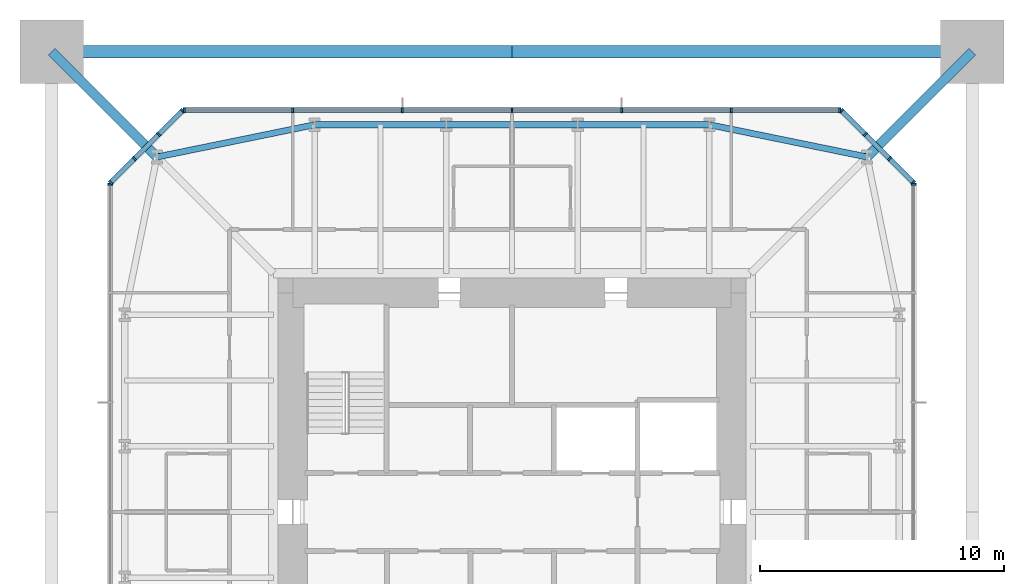
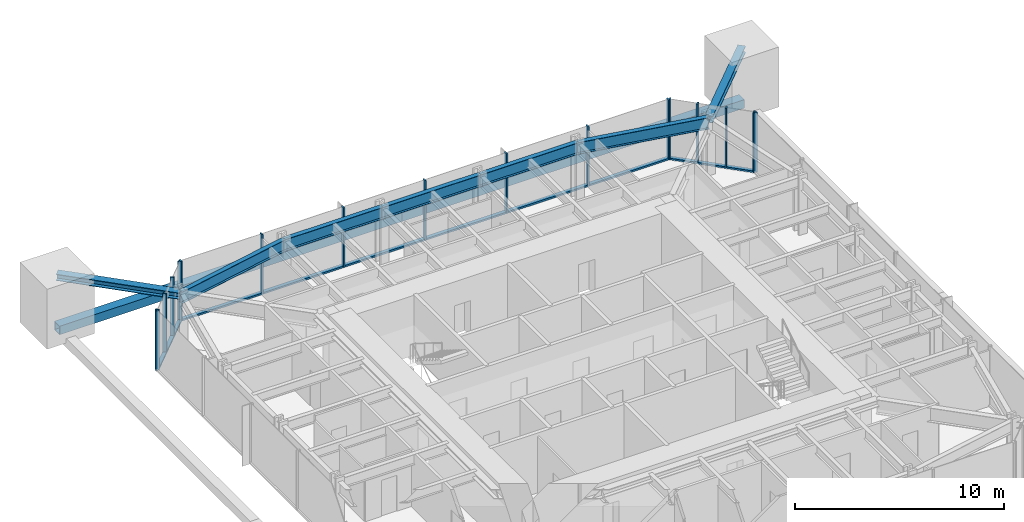
# One storey, part 5 of 10: 33 members, 5 beams, 5 elements without a shape of their own.
"""IFC4 building model written with IfcOpenShell, lengths in metres."""

from ifc_helpers import new_model, si_unit, direction, frame, origin, origin_2d, place, context, subcontext, project, spatial, rectangle, hollow_rectangle, i_section, extrude, material, material_profile, profile_set, type_object, element, aggregate, save


model = new_model("IFC4")

# Units and contexts
model_context = context("Model", 3, precision=1e-05, world=origin(), true_north=direction((0.0, 1.0)))
body_context = subcontext(model_context, "Body", "Model", "MODEL_VIEW")
ifc_project = project(units=[si_unit("LENGTHUNIT", "METRE"), si_unit("AREAUNIT", "SQUARE_METRE"), si_unit("VOLUMEUNIT", "CUBIC_METRE"), si_unit("PLANEANGLEUNIT", "RADIAN"), si_unit("MASSUNIT", "GRAM", prefix="KILO")], contexts=[model_context])

# Site, building, storey
site_placement = place(None, origin())
site = spatial("IfcSite", under=ifc_project, at=site_placement, CompositionType="ELEMENT")
building_placement = place(site_placement, origin())
building = spatial("IfcBuilding", under=site, at=building_placement, Name="Iwan Alto Co-Living Towers", CompositionType="ELEMENT")
storey_placement = place(building_placement, frame((0.0, 0.0, 253.5)))
storey = spatial("IfcBuildingStorey", under=building, at=storey_placement, Name="L69", CompositionType="ELEMENT", Elevation=253.5)

# Curtain wall, member
ifc_material_1 = material(Name="Bronze aluminium unitised frame", Category="aluminium")
curtain_wall_type_1 = type_object("IfcCurtainWallType", Name="CURTAIN WALL CW-A", PredefinedType="NOTDEFINED", material=ifc_material_1)
curtain_wall_1_placement = place(storey_placement, origin())
curtain_wall_1 = element("IfcCurtainWall", 1, at=curtain_wall_1_placement, inside=storey, type_object=curtain_wall_type_1, Name="T1 curtain wall E L69", PredefinedType="NOTDEFINED")
ifc_material_2 = material(Name="Aluminium 6063-T6 bronze anodised", Category="aluminium")
ifc_material_profile_1 = material_profile(ifc_material_2, rectangle(XDim=0.199951171875, YDim=0.080078125, at=origin_2d()), Name="AL 80X200")
ifc_profile_set_1 = profile_set([ifc_material_profile_1], Name="Aluminium 6063-T6 bronze anodised")
member_type_1 = type_object("IfcMemberType", Name="CW-A MULLION 80X200", PredefinedType="MULLION", material=ifc_profile_set_1)
member_1_placement = place(storey_placement, frame((16.5, 13.4599609375, 0.0), z_axis=(0.0, 0.0, 1.0), x_axis=(-1.0, 0.0, 0.0)))
member_1 = element("IfcMember", 2, at=member_1_placement, type_object=member_type_1, Name="CW-A mullion 7", PredefinedType="MULLION", context=body_context, shape_type="SweptSolid", body=[
    extrude(rectangle(XDim=0.199951171875, YDim=0.080078125, at=origin_2d()), origin(), (0.0, 0.0, 1.0), 3.5),
])
aggregate(curtain_wall_1, [member_1])

# Curtain wall, members
curtain_wall_2_placement = place(storey_placement, origin())
curtain_wall_2 = element("IfcCurtainWall", 3, at=curtain_wall_2_placement, inside=storey, type_object=curtain_wall_type_1, Name="T1 curtain wall N L69", PredefinedType="NOTDEFINED")
member_2_placement = place(storey_placement, frame((13.4599609375, 16.5, 0.0), z_axis=(0.0, 0.0, 1.0), x_axis=(0.0, -1.0, 0.0)))
member_2 = element("IfcMember", 4, at=member_2_placement, type_object=member_type_1, Name="CW-A mullion 1", PredefinedType="MULLION", context=body_context, shape_type="SweptSolid", body=[
    extrude(rectangle(XDim=0.199951171875, YDim=0.080078125, at=origin_2d()), origin(), (0.0, 0.0, 1.0), 3.5),
])
member_3_placement = place(storey_placement, frame((9.0, 16.5, 0.0), z_axis=(0.0, 0.0, 1.0), x_axis=(0.0, -1.0, 0.0)))
member_3 = element("IfcMember", 5, at=member_3_placement, type_object=member_type_1, Name="CW-A mullion 2", PredefinedType="MULLION", context=body_context, shape_type="SweptSolid", body=[
    extrude(rectangle(XDim=0.199951171875, YDim=0.080078125, at=origin_2d()), origin(), (0.0, 0.0, 1.0), 3.5),
])
member_4_placement = place(storey_placement, frame((4.5, 16.5, 0.0), z_axis=(0.0, 0.0, 1.0), x_axis=(0.0, -1.0, 0.0)))
member_4 = element("IfcMember", 6, at=member_4_placement, type_object=member_type_1, Name="CW-A mullion 3", PredefinedType="MULLION", context=body_context, shape_type="SweptSolid", body=[
    extrude(rectangle(XDim=0.199951171875, YDim=0.080078125, at=origin_2d()), origin(), (0.0, 0.0, 1.0), 3.5),
])
member_5_placement = place(storey_placement, frame((0.0, 16.5, 0.0), z_axis=(0.0, 0.0, 1.0), x_axis=(0.0, -1.0, 0.0)))
member_5 = element("IfcMember", 7, at=member_5_placement, type_object=member_type_1, Name="CW-A mullion 4", PredefinedType="MULLION", context=body_context, shape_type="SweptSolid", body=[
    extrude(rectangle(XDim=0.199951171875, YDim=0.080078125, at=origin_2d()), origin(), (0.0, 0.0, 1.0), 3.5),
])
member_6_placement = place(storey_placement, frame((-4.5, 16.5, 0.0), z_axis=(0.0, 0.0, 1.0), x_axis=(0.0, -1.0, 0.0)))
member_6 = element("IfcMember", 8, at=member_6_placement, type_object=member_type_1, Name="CW-A mullion 5", PredefinedType="MULLION", context=body_context, shape_type="SweptSolid", body=[
    extrude(rectangle(XDim=0.199951171875, YDim=0.080078125, at=origin_2d()), origin(), (0.0, 0.0, 1.0), 3.5),
])
member_7_placement = place(storey_placement, frame((-9.0, 16.5, 0.0), z_axis=(0.0, 0.0, 1.0), x_axis=(0.0, -1.0, 0.0)))
member_7 = element("IfcMember", 9, at=member_7_placement, type_object=member_type_1, Name="CW-A mullion 6", PredefinedType="MULLION", context=body_context, shape_type="SweptSolid", body=[
    extrude(rectangle(XDim=0.199951171875, YDim=0.080078125, at=origin_2d()), origin(), (0.0, 0.0, 1.0), 3.5),
])
member_8_placement = place(storey_placement, frame((-13.4599609375, 16.5, 0.0), z_axis=(0.0, 0.0, 1.0), x_axis=(0.0, -1.0, 0.0)))
member_8 = element("IfcMember", 10, at=member_8_placement, type_object=member_type_1, Name="CW-A mullion 7", PredefinedType="MULLION", context=body_context, shape_type="SweptSolid", body=[
    extrude(rectangle(XDim=0.199951171875, YDim=0.080078125, at=origin_2d()), origin(), (0.0, 0.0, 1.0), 3.5),
])

# Curtain wall, member
curtain_wall_3_placement = place(storey_placement, origin())
curtain_wall_3 = element("IfcCurtainWall", 11, at=curtain_wall_3_placement, inside=storey, type_object=curtain_wall_type_1, Name="T1 curtain wall W L69", PredefinedType="NOTDEFINED")
member_9_placement = place(storey_placement, frame((-16.5, 13.4599609375, 0.0), z_axis=(0.0, 0.0, 1.0), x_axis=(1.0, 0.0, 0.0)))
member_9 = element("IfcMember", 12, at=member_9_placement, type_object=member_type_1, Name="CW-A mullion 1", PredefinedType="MULLION", context=body_context, shape_type="SweptSolid", body=[
    extrude(rectangle(XDim=0.199951171875, YDim=0.080078125, at=origin_2d()), origin(), (0.0, 0.0, 1.0), 3.5),
])
aggregate(curtain_wall_3, [member_9])

# Member
ifc_material_3 = material(Name="Aluminium 6063-T6 bronze anodised", Category="aluminium")
ifc_material_profile_2 = material_profile(ifc_material_3, rectangle(XDim=0.199951171875, YDim=0.10009765625, at=origin_2d()), Name="AL 200X100")
ifc_profile_set_2 = profile_set([ifc_material_profile_2], Name="Aluminium 6063-T6 bronze anodised")
member_type_2 = type_object("IfcMemberType", Name="CW-A TRANSOM 200X100", PredefinedType="USERDEFINED", material=ifc_profile_set_2)
member_10_placement = place(storey_placement, frame((13.419921875, 16.5, 0.050048828125), z_axis=(-1.0, 0.0, 0.0), x_axis=(0.0, -1.0, 0.0)))
member_10 = element("IfcMember", 13, at=member_10_placement, type_object=member_type_2, Name="CW-A transom 1.1", ObjectType="TRANSOM", PredefinedType="USERDEFINED", context=body_context, shape_type="SweptSolid", body=[
    extrude(rectangle(XDim=0.199951171875, YDim=0.10009765625, at=origin_2d()), origin(), (0.0, 0.0, 1.0), 4.3798828125),
])

member_11_placement = place(storey_placement, frame((8.9599609375, 16.5, 0.050048828125), z_axis=(-1.0, 0.0, 0.0), x_axis=(0.0, -1.0, 0.0)))
member_11 = element("IfcMember", 14, at=member_11_placement, type_object=member_type_2, Name="CW-A transom 2.1", ObjectType="TRANSOM", PredefinedType="USERDEFINED", context=body_context, shape_type="SweptSolid", body=[
    extrude(rectangle(XDim=0.199951171875, YDim=0.10009765625, at=origin_2d()), origin(), (0.0, 0.0, 1.0), 4.419921875),
])

member_12_placement = place(storey_placement, frame((4.4599609375, 16.5, 0.050048828125), z_axis=(-1.0, 0.0, 0.0), x_axis=(0.0, -1.0, 0.0)))
member_12 = element("IfcMember", 15, at=member_12_placement, type_object=member_type_2, Name="CW-A transom 3.1", ObjectType="TRANSOM", PredefinedType="USERDEFINED", context=body_context, shape_type="SweptSolid", body=[
    extrude(rectangle(XDim=0.199951171875, YDim=0.10009765625, at=origin_2d()), origin(), (0.0, 0.0, 1.0), 4.419921875),
])

member_13_placement = place(storey_placement, frame((-0.0400390625, 16.5, 0.050048828125), z_axis=(-1.0, 0.0, 0.0), x_axis=(0.0, -1.0, 0.0)))
member_13 = element("IfcMember", 16, at=member_13_placement, type_object=member_type_2, Name="CW-A transom 4.1", ObjectType="TRANSOM", PredefinedType="USERDEFINED", context=body_context, shape_type="SweptSolid", body=[
    extrude(rectangle(XDim=0.199951171875, YDim=0.10009765625, at=origin_2d()), origin(), (0.0, 0.0, 1.0), 4.419921875),
])

member_14_placement = place(storey_placement, frame((-4.5400390625, 16.5, 0.050048828125), z_axis=(-1.0, 0.0, 0.0), x_axis=(0.0, -1.0, 0.0)))
member_14 = element("IfcMember", 17, at=member_14_placement, type_object=member_type_2, Name="CW-A transom 5.1", ObjectType="TRANSOM", PredefinedType="USERDEFINED", context=body_context, shape_type="SweptSolid", body=[
    extrude(rectangle(XDim=0.199951171875, YDim=0.10009765625, at=origin_2d()), origin(), (0.0, 0.0, 1.0), 4.419921875),
])

member_15_placement = place(storey_placement, frame((-9.0400390625, 16.5, 0.050048828125), z_axis=(-1.0, 0.0, 0.0), x_axis=(0.0, -1.0, 0.0)))
member_15 = element("IfcMember", 18, at=member_15_placement, type_object=member_type_2, Name="CW-A transom 6.1", ObjectType="TRANSOM", PredefinedType="USERDEFINED", context=body_context, shape_type="SweptSolid", body=[
    extrude(rectangle(XDim=0.199951171875, YDim=0.10009765625, at=origin_2d()), origin(), (0.0, 0.0, 1.0), 4.3798828125),
])

aggregate(curtain_wall_2, [member_2, member_3, member_4, member_5, member_6, member_7, member_8, member_10, member_11, member_12, member_13, member_14, member_15])

# Curtain wall, members
ifc_material_4 = material(Name="Bronze aluminium unitised frame", Category="aluminium")
curtain_wall_type_2 = type_object("IfcCurtainWallType", Name="CURTAIN WALL CW-B", PredefinedType="NOTDEFINED", material=ifc_material_4)
curtain_wall_4_placement = place(storey_placement, origin())
curtain_wall_4 = element("IfcCurtainWall", 19, at=curtain_wall_4_placement, inside=storey, type_object=curtain_wall_type_2, Name="T1 chamfer curtain wall NE L69", PredefinedType="NOTDEFINED")
ifc_material_5 = material(Name="Aluminium 6063-T6 bronze anodised", Category="aluminium")
ifc_material_profile_3 = material_profile(ifc_material_5, rectangle(XDim=0.199951171875, YDim=0.080078125, at=origin_2d()), Name="AL 80X200")
ifc_profile_set_3 = profile_set([ifc_material_profile_3], Name="Aluminium 6063-T6 bronze anodised")
member_type_3 = type_object("IfcMemberType", Name="CW-B MULLION 80X200", PredefinedType="MULLION", material=ifc_profile_set_3)
member_16_placement = place(storey_placement, frame((16.4716796875, 13.5283203125, 0.0), z_axis=(0.0, 0.0, 1.0), x_axis=(-0.707106781187, -0.707106781187, 0.0)))
member_16 = element("IfcMember", 20, at=member_16_placement, type_object=member_type_3, Name="CW-B mullion 1", PredefinedType="MULLION", context=body_context, shape_type="SweptSolid", body=[
    extrude(rectangle(XDim=0.199951171875, YDim=0.080078125, at=origin_2d()), origin(), (0.0, 0.0, 1.0), 3.5),
])
member_17_placement = place(storey_placement, frame((15.5, 14.5, 0.0), z_axis=(0.0, 0.0, 1.0), x_axis=(-0.707106781187, -0.707106781187, 0.0)))
member_17 = element("IfcMember", 21, at=member_17_placement, type_object=member_type_3, Name="CW-B mullion 2", PredefinedType="MULLION", context=body_context, shape_type="SweptSolid", body=[
    extrude(rectangle(XDim=0.199951171875, YDim=0.080078125, at=origin_2d()), origin(), (0.0, 0.0, 1.0), 3.5),
])
member_18_placement = place(storey_placement, frame((14.5, 15.5, 0.0), z_axis=(0.0, 0.0, 1.0), x_axis=(-0.707106781187, -0.707106781187, 0.0)))
member_18 = element("IfcMember", 22, at=member_18_placement, type_object=member_type_3, Name="CW-B mullion 3", PredefinedType="MULLION", context=body_context, shape_type="SweptSolid", body=[
    extrude(rectangle(XDim=0.199951171875, YDim=0.080078125, at=origin_2d()), origin(), (0.0, 0.0, 1.0), 3.5),
])
member_19_placement = place(storey_placement, frame((13.5283203125, 16.4716796875, 0.0), z_axis=(0.0, 0.0, 1.0), x_axis=(-0.707106781187, -0.707106781187, 0.0)))
member_19 = element("IfcMember", 23, at=member_19_placement, type_object=member_type_3, Name="CW-B mullion 4", PredefinedType="MULLION", context=body_context, shape_type="SweptSolid", body=[
    extrude(rectangle(XDim=0.199951171875, YDim=0.080078125, at=origin_2d()), origin(), (0.0, 0.0, 1.0), 3.5),
])

curtain_wall_5_placement = place(storey_placement, origin())
curtain_wall_5 = element("IfcCurtainWall", 24, at=curtain_wall_5_placement, inside=storey, type_object=curtain_wall_type_2, Name="T1 chamfer curtain wall NW L69", PredefinedType="NOTDEFINED")
member_20_placement = place(storey_placement, frame((-13.5283203125, 16.4716796875, 0.0), z_axis=(0.0, 0.0, 1.0), x_axis=(0.707106781187, -0.707106781187, 0.0)))
member_20 = element("IfcMember", 25, at=member_20_placement, type_object=member_type_3, Name="CW-B mullion 1", PredefinedType="MULLION", context=body_context, shape_type="SweptSolid", body=[
    extrude(rectangle(XDim=0.199951171875, YDim=0.080078125, at=origin_2d()), origin(), (0.0, 0.0, 1.0), 3.5),
])
member_21_placement = place(storey_placement, frame((-14.5, 15.5, 0.0), z_axis=(0.0, 0.0, 1.0), x_axis=(0.707106781187, -0.707106781187, 0.0)))
member_21 = element("IfcMember", 26, at=member_21_placement, type_object=member_type_3, Name="CW-B mullion 2", PredefinedType="MULLION", context=body_context, shape_type="SweptSolid", body=[
    extrude(rectangle(XDim=0.199951171875, YDim=0.080078125, at=origin_2d()), origin(), (0.0, 0.0, 1.0), 3.5),
])
member_22_placement = place(storey_placement, frame((-15.5, 14.5, 0.0), z_axis=(0.0, 0.0, 1.0), x_axis=(0.707106781187, -0.707106781187, 0.0)))
member_22 = element("IfcMember", 27, at=member_22_placement, type_object=member_type_3, Name="CW-B mullion 3", PredefinedType="MULLION", context=body_context, shape_type="SweptSolid", body=[
    extrude(rectangle(XDim=0.199951171875, YDim=0.080078125, at=origin_2d()), origin(), (0.0, 0.0, 1.0), 3.5),
])
member_23_placement = place(storey_placement, frame((-16.4716796875, 13.5283203125, 0.0), z_axis=(0.0, 0.0, 1.0), x_axis=(0.707106781187, -0.707106781187, 0.0)))
member_23 = element("IfcMember", 28, at=member_23_placement, type_object=member_type_3, Name="CW-B mullion 4", PredefinedType="MULLION", context=body_context, shape_type="SweptSolid", body=[
    extrude(rectangle(XDim=0.199951171875, YDim=0.080078125, at=origin_2d()), origin(), (0.0, 0.0, 1.0), 3.5),
])

# Member
ifc_material_6 = material(Name="Aluminium 6063-T6 bronze anodised", Category="aluminium")
ifc_material_profile_4 = material_profile(ifc_material_6, rectangle(XDim=0.199951171875, YDim=0.10009765625, at=origin_2d()), Name="AL 200X100")
ifc_profile_set_4 = profile_set([ifc_material_profile_4], Name="Aluminium 6063-T6 bronze anodised")
member_type_4 = type_object("IfcMemberType", Name="CW-B TRANSOM 200X100", PredefinedType="USERDEFINED", material=ifc_profile_set_4)
member_24_placement = place(storey_placement, frame((16.443359375, 13.556640625, 0.050048828125), z_axis=(-0.707106781187, 0.707106781187, 0.0), x_axis=(-0.707106781187, -0.707106781187, 0.0)))
member_24 = element("IfcMember", 29, at=member_24_placement, type_object=member_type_4, Name="CW-B transom 1.1", ObjectType="TRANSOM", PredefinedType="USERDEFINED", context=body_context, shape_type="SweptSolid", body=[
    extrude(rectangle(XDim=0.199951171875, YDim=0.10009765625, at=origin_2d()), origin(), (0.0, 0.0, 1.0), 1.2939453125),
])

member_25_placement = place(storey_placement, frame((15.4716796875, 14.5283203125, 0.050048828125), z_axis=(-0.707106781187, 0.707106781187, 0.0), x_axis=(-0.707106781187, -0.707106781187, 0.0)))
member_25 = element("IfcMember", 30, at=member_25_placement, type_object=member_type_4, Name="CW-B transom 2.1", ObjectType="TRANSOM", PredefinedType="USERDEFINED", context=body_context, shape_type="SweptSolid", body=[
    extrude(rectangle(XDim=0.199951171875, YDim=0.10009765625, at=origin_2d()), origin(), (0.0, 0.0, 1.0), 1.334228515625),
])

member_26_placement = place(storey_placement, frame((14.4716796875, 15.5283203125, 0.050048828125), z_axis=(-0.707106781187, 0.707106781187, 0.0), x_axis=(-0.707106781187, -0.707106781187, 0.0)))
member_26 = element("IfcMember", 31, at=member_26_placement, type_object=member_type_4, Name="CW-B transom 3.1", ObjectType="TRANSOM", PredefinedType="USERDEFINED", context=body_context, shape_type="SweptSolid", body=[
    extrude(rectangle(XDim=0.199951171875, YDim=0.10009765625, at=origin_2d()), origin(), (0.0, 0.0, 1.0), 1.2939453125),
])

aggregate(curtain_wall_4, [member_16, member_17, member_18, member_19, member_24, member_25, member_26])

member_27_placement = place(storey_placement, frame((-13.556640625, 16.443359375, 0.050048828125), z_axis=(-0.707106781187, -0.707106781187, 0.0), x_axis=(0.707106781187, -0.707106781187, 0.0)))
member_27 = element("IfcMember", 32, at=member_27_placement, type_object=member_type_4, Name="CW-B transom 1.1", ObjectType="TRANSOM", PredefinedType="USERDEFINED", context=body_context, shape_type="SweptSolid", body=[
    extrude(rectangle(XDim=0.199951171875, YDim=0.10009765625, at=origin_2d()), origin(), (0.0, 0.0, 1.0), 1.2939453125),
])

member_28_placement = place(storey_placement, frame((-14.5283203125, 15.4716796875, 0.050048828125), z_axis=(-0.707106781187, -0.707106781187, 0.0), x_axis=(0.707106781187, -0.707106781187, 0.0)))
member_28 = element("IfcMember", 33, at=member_28_placement, type_object=member_type_4, Name="CW-B transom 2.1", ObjectType="TRANSOM", PredefinedType="USERDEFINED", context=body_context, shape_type="SweptSolid", body=[
    extrude(rectangle(XDim=0.199951171875, YDim=0.10009765625, at=origin_2d()), origin(), (0.0, 0.0, 1.0), 1.334228515625),
])

member_29_placement = place(storey_placement, frame((-15.5283203125, 14.4716796875, 0.050048828125), z_axis=(-0.707106781187, -0.707106781187, 0.0), x_axis=(0.707106781187, -0.707106781187, 0.0)))
member_29 = element("IfcMember", 34, at=member_29_placement, type_object=member_type_4, Name="CW-B transom 3.1", ObjectType="TRANSOM", PredefinedType="USERDEFINED", context=body_context, shape_type="SweptSolid", body=[
    extrude(rectangle(XDim=0.199951171875, YDim=0.10009765625, at=origin_2d()), origin(), (0.0, 0.0, 1.0), 1.2939453125),
])

aggregate(curtain_wall_5, [member_20, member_21, member_22, member_23, member_27, member_28, member_29])

# Beams
ifc_material_7 = material(Name="Steel ASTM A992 Gr 50", Category="steel")
ifc_material_profile_5 = material_profile(ifc_material_7, i_section(OverallWidth=0.25390625, OverallDepth=0.683349609375, WebThickness=0.012451171875, FlangeThickness=0.018798828125, at=origin_2d()), Name="W27X94")
ifc_profile_set_5 = profile_set([ifc_material_profile_5], Name="Steel ASTM A992 Gr 50")
beam_type = type_object("IfcBeamType", Name="T1 EDGE BEAM W27X94", PredefinedType="BEAM", material=ifc_profile_set_5)
beam_1_placement = place(storey_placement, frame((14.57568359375, 14.57568359375, 2.928466796875), z_axis=(-0.979724820103, 0.200347889618, 0.0), x_axis=(-0.200347889618, -0.979724820103, 0.0)))
element("IfcBeam", 35, at=beam_1_placement, inside=storey, type_object=beam_type, Name="T1 edge beam CNE L70", PredefinedType="BEAM", context=body_context, shape_type="SweptSolid", body=[
    extrude(i_section(OverallWidth=0.25390625, OverallDepth=0.683349609375, WebThickness=0.012451171875, FlangeThickness=0.018798828125, at=origin_2d()), origin(), (0.0, 0.0, 1.0), 6.609619140625),
])
beam_2_placement = place(storey_placement, frame((8.10009765625, 15.89990234375, 2.928466796875), z_axis=(-1.0, 0.0, 0.0), x_axis=(0.0, -1.0, 0.0)))
element("IfcBeam", 36, at=beam_2_placement, inside=storey, type_object=beam_type, Name="T1 edge beam N1 L70", PredefinedType="BEAM", context=body_context, shape_type="SweptSolid", body=[
    extrude(i_section(OverallWidth=0.25390625, OverallDepth=0.683349609375, WebThickness=0.012451171875, FlangeThickness=0.018798828125, at=origin_2d()), origin(), (0.0, 0.0, 1.0), 5.400146484375),
])
beam_3_placement = place(storey_placement, frame((2.699951171875, 15.89990234375, 2.928466796875), z_axis=(-1.0, 0.0, 0.0), x_axis=(0.0, -1.0, 0.0)))
element("IfcBeam", 37, at=beam_3_placement, inside=storey, type_object=beam_type, Name="T1 edge beam N2 L70", PredefinedType="BEAM", context=body_context, shape_type="SweptSolid", body=[
    extrude(i_section(OverallWidth=0.25390625, OverallDepth=0.683349609375, WebThickness=0.012451171875, FlangeThickness=0.018798828125, at=origin_2d()), origin(), (0.0, 0.0, 1.0), 5.39990234375),
])
beam_4_placement = place(storey_placement, frame((-2.699951171875, 15.89990234375, 2.928466796875), z_axis=(-1.0, 0.0, 0.0), x_axis=(0.0, -1.0, 0.0)))
element("IfcBeam", 38, at=beam_4_placement, inside=storey, type_object=beam_type, Name="T1 edge beam N3 L70", PredefinedType="BEAM", context=body_context, shape_type="SweptSolid", body=[
    extrude(i_section(OverallWidth=0.25390625, OverallDepth=0.683349609375, WebThickness=0.012451171875, FlangeThickness=0.018798828125, at=origin_2d()), origin(), (0.0, 0.0, 1.0), 5.400146484375),
])
beam_5_placement = place(storey_placement, frame((-8.10009765625, 15.89990234375, 2.928466796875), z_axis=(-0.979724820103, -0.200347889618, 0.0), x_axis=(0.200347889618, -0.979724820103, 0.0)))
element("IfcBeam", 39, at=beam_5_placement, inside=storey, type_object=beam_type, Name="T1 edge beam N4 L70", PredefinedType="BEAM", context=body_context, shape_type="SweptSolid", body=[
    extrude(i_section(OverallWidth=0.25390625, OverallDepth=0.683349609375, WebThickness=0.012451171875, FlangeThickness=0.018798828125, at=origin_2d()), origin(), (0.0, 0.0, 1.0), 6.609619140625),
])

# Members
ifc_material_8 = material(Name="Steel ASTM A992 Gr 50", Category="steel")
ifc_material_profile_6 = material_profile(ifc_material_8, i_section(OverallWidth=0.393798828125, OverallDepth=0.3759765625, WebThickness=0.017333984375, FlangeThickness=0.027587890625, at=origin_2d()), Name="W14X145")
ifc_profile_set_6 = profile_set([ifc_material_profile_6], Name="Steel ASTM A992 Gr 50")
member_type_5 = type_object("IfcMemberType", Name="T1 MEGA COLUMN FLOOR TIE W14X145", PredefinedType="STRUT", material=ifc_profile_set_6)
for number, where, z_axis, x_axis, name in (
    (40, (18.89990234375, 18.89990234375, 3.08203125), (-0.707106781187, -0.707106781187, 0.0), (0.707106781187, -0.707106781187, 0.0), "T1 mega column floor tie NE L70"),
    (41, (-18.89990234375, 18.89990234375, 3.08203125), (0.707106781187, -0.707106781187, 0.0), (0.707106781187, 0.707106781187, 0.0), "T1 mega column floor tie NW L70"),
):
    element("IfcMember", number, at=place(storey_placement, frame(where, z_axis=z_axis, x_axis=x_axis)), inside=storey, type_object=member_type_5, Name=name, PredefinedType="STRUT", context=body_context, shape_type="SweptSolid", body=[
        extrude(i_section(OverallWidth=0.393798828125, OverallDepth=0.3759765625, WebThickness=0.017333984375, FlangeThickness=0.027587890625, at=origin_2d()), origin(), (0.0, 0.0, 1.0), 6.115478515625),
    ])
ifc_material_9 = material(Name="Steel ASTM A572 Gr 50", Category="steel")
ifc_material_profile_7 = material_profile(ifc_material_9, hollow_rectangle(XDim=0.5, YDim=0.5, WallThickness=0.031982421875, at=origin_2d()), Name="BOX 500X500X32")
ifc_profile_set_7 = profile_set([ifc_material_profile_7], Name="Steel ASTM A572 Gr 50")
member_type_6 = type_object("IfcMemberType", Name="T1 MEGA TIE BOX 500X500X32", PredefinedType="STRUT", material=ifc_profile_set_7)
for number, where, z_axis, x_axis, name in (
    (42, (18.89990234375, 18.89990234375, 0.0), (-1.0, 0.0, 0.0), (0.0, -1.0, 0.0), "T1 mega tie Z4B N 1"),
    (43, (0.0, 18.89990234375, 0.0), (-1.0, 0.0, 0.0), (0.0, -1.0, 0.0), "T1 mega tie Z4B N 2"),
):
    element("IfcMember", number, at=place(storey_placement, frame(where, z_axis=z_axis, x_axis=x_axis)), inside=storey, type_object=member_type_6, Name=name, PredefinedType="STRUT", context=body_context, shape_type="SweptSolid", body=[
        extrude(hollow_rectangle(XDim=0.5, YDim=0.5, WallThickness=0.031982421875, at=origin_2d()), origin(), (0.0, 0.0, 1.0), 18.89990234375),
    ])

save(model, "model.ifc")
